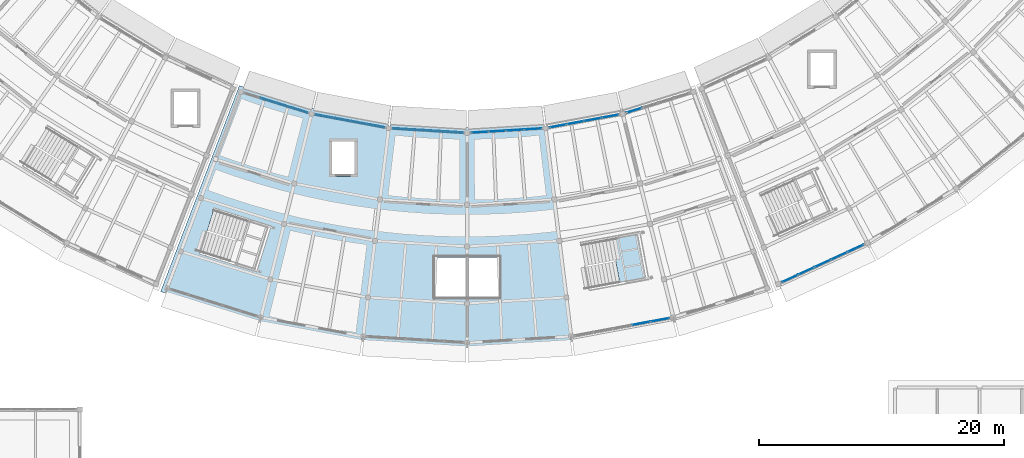
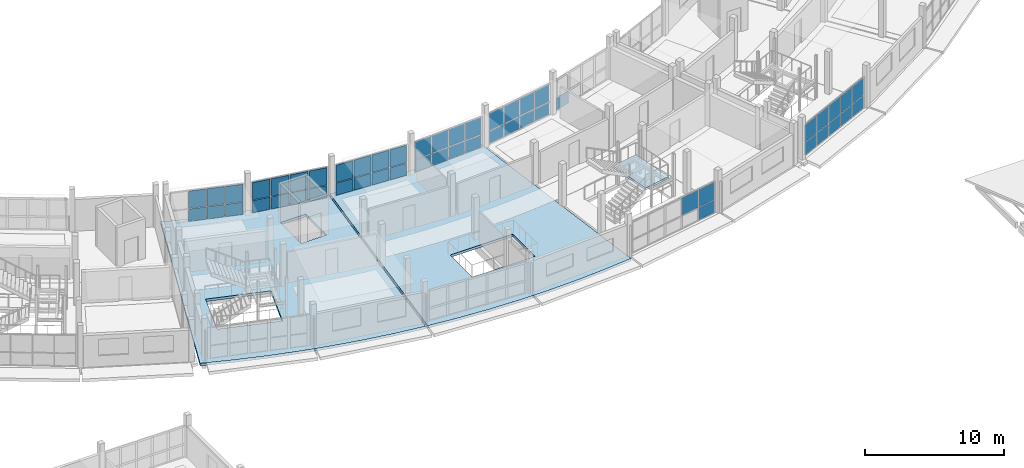
# One storey, part 43 of 66: 52 plates, 3 slabs, 9 elements without a shape of their own.
"""IFC4 building model written with IfcOpenShell, lengths in metres."""

from ifc_helpers import new_model, si_unit, direction, frame, origin, origin_2d, place, context, subcontext, project, spatial, polyline, rectangle, outline, extrude, material, layer, layer_set, type_object, element, aggregate, save


model = new_model("IFC4")

# Units and contexts
model_context = context("Model", 3, precision=1e-05, world=origin(), true_north=direction((0.0, 1.0)))
body_context = subcontext(model_context, "Body", "Model", "MODEL_VIEW")
ifc_project = project(units=[si_unit("LENGTHUNIT", "METRE"), si_unit("AREAUNIT", "SQUARE_METRE"), si_unit("VOLUMEUNIT", "CUBIC_METRE"), si_unit("PLANEANGLEUNIT", "RADIAN"), si_unit("MASSUNIT", "GRAM", prefix="KILO")], contexts=[model_context])

# Site, building, storey
site_placement = place(None, origin())
site = spatial("IfcSite", under=ifc_project, at=site_placement, CompositionType="ELEMENT")
building_placement = place(site_placement, origin())
building = spatial("IfcBuilding", under=site, at=building_placement, Name="Caldaven Crescent School", CompositionType="ELEMENT")
storey_placement = place(building_placement, frame((0.0, 0.0, 8.159912109375)))
storey = spatial("IfcBuildingStorey", under=building, at=storey_placement, Name="L02", CompositionType="ELEMENT", Elevation=8.159912109375)

# Curtain wall, plates
ifc_material_1 = material(Name="Anodised aluminium AA 6063-T6 and low-E double glazing", Category="aluminium")
ifc_layer_1 = layer(ifc_material_1, 0.18994140625)
ifc_layer_set_1 = layer_set([ifc_layer_1], Name="Anodised aluminium AA 6063-T6 and low-E double glazing")
curtain_wall_type_1 = type_object("IfcCurtainWallType", Name="CW-SYS2", PredefinedType="NOTDEFINED", material=ifc_layer_set_1)
curtain_wall_1_placement = place(storey_placement, origin())
curtain_wall_1 = element("IfcCurtainWall", 1, at=curtain_wall_1_placement, inside=storey, type_object=curtain_wall_type_1, Name="CW-L02-145", PredefinedType="NOTDEFINED")
ifc_material_2 = material(Name="Tempered low-E double glazing IGU", Category="glass")
ifc_layer_2 = layer(ifc_material_2, 0.028076171875)
ifc_layer_set_2 = layer_set([ifc_layer_2], Name="Tempered low-E double glazing IGU")
plate_type_1 = type_object("IfcPlateType", Name="PLT-CWP02", PredefinedType="CURTAIN_PANEL", material=ifc_layer_set_2)
plate_1_placement = place(storey_placement, frame((89.03857421875, 43.613525390625, 0.06494140625), z_axis=(0.0, 0.0, 1.0), x_axis=(0.998134750717, 0.061049319496, 0.0)))
plate_1 = element("IfcPlate", 2, at=plate_1_placement, type_object=plate_type_1, Name="CW2 panel 1.1", PredefinedType="CURTAIN_PANEL", context=body_context, shape_type="SweptSolid", body=[
    extrude(rectangle(XDim=1.361083984375, YDim=0.028076171875, at=origin_2d()), origin(), (0.0, 0.0, 1.0), 1.070556640625),
])
plate_2_placement = place(storey_placement, frame((89.03857421875, 43.613525390625, 1.20068359375), z_axis=(0.0, 0.0, 1.0), x_axis=(0.998134750717, 0.061049319496, 0.0)))
plate_2 = element("IfcPlate", 3, at=plate_2_placement, type_object=plate_type_1, Name="CW2 panel 1.2", PredefinedType="CURTAIN_PANEL", context=body_context, shape_type="SweptSolid", body=[
    extrude(rectangle(XDim=1.361083984375, YDim=0.028076171875, at=origin_2d()), origin(), (0.0, 0.0, 1.0), 1.514404296875),
])
plate_3_placement = place(storey_placement, frame((90.471923828125, 43.701171875, 0.06494140625), z_axis=(0.0, 0.0, 1.0), x_axis=(0.998134750717, 0.061049319496, 0.0)))
plate_3 = element("IfcPlate", 4, at=plate_3_placement, type_object=plate_type_1, Name="CW2 panel 2.1", PredefinedType="CURTAIN_PANEL", context=body_context, shape_type="SweptSolid", body=[
    extrude(rectangle(XDim=1.39111328125, YDim=0.028076171875, at=origin_2d()), origin(), (0.0, 0.0, 1.0), 1.070556640625),
])
plate_4_placement = place(storey_placement, frame((90.471923828125, 43.701171875, 1.20068359375), z_axis=(0.0, 0.0, 1.0), x_axis=(0.998134750717, 0.061049319496, 0.0)))
plate_4 = element("IfcPlate", 5, at=plate_4_placement, type_object=plate_type_1, Name="CW2 panel 2.2", PredefinedType="CURTAIN_PANEL", context=body_context, shape_type="SweptSolid", body=[
    extrude(rectangle(XDim=1.39111328125, YDim=0.028076171875, at=origin_2d()), origin(), (0.0, 0.0, 1.0), 1.514404296875),
])
plate_5_placement = place(storey_placement, frame((91.920166015625, 43.789794921875, 0.06494140625), z_axis=(0.0, 0.0, 1.0), x_axis=(0.998134750717, 0.061049319496, 0.0)))
plate_5 = element("IfcPlate", 6, at=plate_5_placement, type_object=plate_type_1, Name="CW2 panel 3.1", PredefinedType="CURTAIN_PANEL", context=body_context, shape_type="SweptSolid", body=[
    extrude(rectangle(XDim=1.39111328125, YDim=0.028076171875, at=origin_2d()), origin(), (0.0, 0.0, 1.0), 1.070556640625),
])
plate_6_placement = place(storey_placement, frame((91.920166015625, 43.789794921875, 1.20068359375), z_axis=(0.0, 0.0, 1.0), x_axis=(0.998134750717, 0.061049319496, 0.0)))
plate_6 = element("IfcPlate", 7, at=plate_6_placement, type_object=plate_type_1, Name="CW2 panel 3.2", PredefinedType="CURTAIN_PANEL", context=body_context, shape_type="SweptSolid", body=[
    extrude(rectangle(XDim=1.39111328125, YDim=0.028076171875, at=origin_2d()), origin(), (0.0, 0.0, 1.0), 1.514404296875),
])
plate_7_placement = place(storey_placement, frame((93.353515625, 43.87744140625, 0.06494140625), z_axis=(0.0, 0.0, 1.0), x_axis=(0.998134750717, 0.061049319496, 0.0)))
plate_7 = element("IfcPlate", 8, at=plate_7_placement, type_object=plate_type_1, Name="CW2 panel 4.1", PredefinedType="CURTAIN_PANEL", context=body_context, shape_type="SweptSolid", body=[
    extrude(rectangle(XDim=1.361083984375, YDim=0.028076171875, at=origin_2d()), origin(), (0.0, 0.0, 1.0), 1.070556640625),
])
plate_8_placement = place(storey_placement, frame((93.353515625, 43.87744140625, 1.20068359375), z_axis=(0.0, 0.0, 1.0), x_axis=(0.998134750717, 0.061049319496, 0.0)))
plate_8 = element("IfcPlate", 9, at=plate_8_placement, type_object=plate_type_1, Name="CW2 panel 4.2", PredefinedType="CURTAIN_PANEL", context=body_context, shape_type="SweptSolid", body=[
    extrude(rectangle(XDim=1.361083984375, YDim=0.028076171875, at=origin_2d()), origin(), (0.0, 0.0, 1.0), 1.514404296875),
])
aggregate(curtain_wall_1, [plate_1, plate_2, plate_3, plate_4, plate_5, plate_6, plate_7, plate_8])

ifc_layer_3 = layer(ifc_material_1, 0.2099609375)
ifc_layer_set_3 = layer_set([ifc_layer_3], Name="Anodised aluminium AA 6063-T6 and low-E double glazing")
curtain_wall_type_2 = type_object("IfcCurtainWallType", Name="CW-SYS3", PredefinedType="NOTDEFINED", material=ifc_layer_set_3)
curtain_wall_2_placement = place(storey_placement, origin())
curtain_wall_2 = element("IfcCurtainWall", 10, at=curtain_wall_2_placement, inside=storey, type_object=curtain_wall_type_2, Name="CW-L02-146", PredefinedType="NOTDEFINED")
ifc_layer_4 = layer(ifc_material_2, 0.030029296875)
ifc_layer_set_4 = layer_set([ifc_layer_4], Name="Tempered low-E double glazing IGU")
plate_type_2 = type_object("IfcPlateType", Name="PLT-CWP03", PredefinedType="CURTAIN_PANEL", material=ifc_layer_set_4)
plate_9_placement = place(storey_placement, frame((95.416259765625, 44.130859375, 0.070068359375), z_axis=(0.0, 0.0, 1.0), x_axis=(0.983254744401, 0.182236405836, 0.0)))
plate_9 = element("IfcPlate", 11, at=plate_9_placement, type_object=plate_type_2, Name="CW3 panel 1.1", PredefinedType="CURTAIN_PANEL", context=body_context, shape_type="SweptSolid", body=[
    extrude(rectangle(XDim=1.353515625, YDim=0.030029296875, at=origin_2d()), origin(), (0.0, 0.0, 1.0), 1.06298828125),
])
plate_10_placement = place(storey_placement, frame((95.416259765625, 44.130859375, 1.203125), z_axis=(0.0, 0.0, 1.0), x_axis=(0.983254744401, 0.182236405836, 0.0)))
plate_10 = element("IfcPlate", 12, at=plate_10_placement, type_object=plate_type_2, Name="CW3 panel 1.2", PredefinedType="CURTAIN_PANEL", context=body_context, shape_type="SweptSolid", body=[
    extrude(rectangle(XDim=1.353515625, YDim=0.030029296875, at=origin_2d()), origin(), (0.0, 0.0, 1.0), 1.507080078125),
])
plate_11_placement = place(storey_placement, frame((96.8271484375, 44.392333984375, 0.070068359375), z_axis=(0.0, 0.0, 1.0), x_axis=(0.983254744401, 0.182236405836, 0.0)))
plate_11 = element("IfcPlate", 13, at=plate_11_placement, type_object=plate_type_2, Name="CW3 panel 2.1", PredefinedType="CURTAIN_PANEL", context=body_context, shape_type="SweptSolid", body=[
    extrude(rectangle(XDim=1.385986328125, YDim=0.030029296875, at=origin_2d()), origin(), (0.0, 0.0, 1.0), 1.06298828125),
])
plate_12_placement = place(storey_placement, frame((96.8271484375, 44.392333984375, 1.203125), z_axis=(0.0, 0.0, 1.0), x_axis=(0.983254744401, 0.182236405836, 0.0)))
plate_12 = element("IfcPlate", 14, at=plate_12_placement, type_object=plate_type_2, Name="CW3 panel 2.2", PredefinedType="CURTAIN_PANEL", context=body_context, shape_type="SweptSolid", body=[
    extrude(rectangle(XDim=1.385986328125, YDim=0.030029296875, at=origin_2d()), origin(), (0.0, 0.0, 1.0), 1.507080078125),
])
plate_13_placement = place(storey_placement, frame((98.253662109375, 44.65673828125, 0.070068359375), z_axis=(0.0, 0.0, 1.0), x_axis=(0.983254744401, 0.182236405836, 0.0)))
plate_13 = element("IfcPlate", 15, at=plate_13_placement, type_object=plate_type_2, Name="CW3 panel 3.1", PredefinedType="CURTAIN_PANEL", context=body_context, shape_type="SweptSolid", body=[
    extrude(rectangle(XDim=1.385986328125, YDim=0.030029296875, at=origin_2d()), origin(), (0.0, 0.0, 1.0), 1.06298828125),
])
plate_14_placement = place(storey_placement, frame((98.253662109375, 44.65673828125, 1.203125), z_axis=(0.0, 0.0, 1.0), x_axis=(0.983254744401, 0.182236405836, 0.0)))
plate_14 = element("IfcPlate", 16, at=plate_14_placement, type_object=plate_type_2, Name="CW3 panel 3.2", PredefinedType="CURTAIN_PANEL", context=body_context, shape_type="SweptSolid", body=[
    extrude(rectangle(XDim=1.385986328125, YDim=0.030029296875, at=origin_2d()), origin(), (0.0, 0.0, 1.0), 1.507080078125),
])
plate_15_placement = place(storey_placement, frame((99.66455078125, 44.918212890625, 0.070068359375), z_axis=(0.0, 0.0, 1.0), x_axis=(0.983254744401, 0.182236405836, 0.0)))
plate_15 = element("IfcPlate", 17, at=plate_15_placement, type_object=plate_type_2, Name="CW3 panel 4.1", PredefinedType="CURTAIN_PANEL", context=body_context, shape_type="SweptSolid", body=[
    extrude(rectangle(XDim=1.353515625, YDim=0.030029296875, at=origin_2d()), origin(), (0.0, 0.0, 1.0), 1.06298828125),
])
plate_16_placement = place(storey_placement, frame((99.66455078125, 44.918212890625, 1.203125), z_axis=(0.0, 0.0, 1.0), x_axis=(0.983254744401, 0.182236405836, 0.0)))
plate_16 = element("IfcPlate", 18, at=plate_16_placement, type_object=plate_type_2, Name="CW3 panel 4.2", PredefinedType="CURTAIN_PANEL", context=body_context, shape_type="SweptSolid", body=[
    extrude(rectangle(XDim=1.353515625, YDim=0.030029296875, at=origin_2d()), origin(), (0.0, 0.0, 1.0), 1.507080078125),
])
aggregate(curtain_wall_2, [plate_9, plate_10, plate_11, plate_12, plate_13, plate_14, plate_15, plate_16])

ifc_layer_5 = layer(ifc_material_1, 0.169921875)
ifc_layer_set_5 = layer_set([ifc_layer_5], Name="Anodised aluminium AA 6063-T6 and low-E double glazing")
curtain_wall_type_3 = type_object("IfcCurtainWallType", Name="CW-SYS1", PredefinedType="NOTDEFINED", material=ifc_layer_set_5)
curtain_wall_3_placement = place(storey_placement, origin())
curtain_wall_3 = element("IfcCurtainWall", 19, at=curtain_wall_3_placement, inside=storey, type_object=curtain_wall_type_3, Name="CW-L02-147", PredefinedType="NOTDEFINED")
ifc_layer_6 = layer(ifc_material_2, 0.031982421875)
ifc_layer_set_6 = layer_set([ifc_layer_6], Name="Tempered low-E double glazing IGU")
plate_type_3 = type_object("IfcPlateType", Name="PLT-CWP04", PredefinedType="CURTAIN_PANEL", material=ifc_layer_set_6)
plate_17_placement = place(storey_placement, frame((102.202880859375, 28.02978515625, 1.197998046875), z_axis=(0.0, 0.0, 1.0), x_axis=(0.983255029874, 0.182234865564, 0.0)))
plate_17 = element("IfcPlate", 20, at=plate_17_placement, type_object=plate_type_3, Name="CW1 panel 4.2", PredefinedType="CURTAIN_PANEL", context=body_context, shape_type="SweptSolid", body=[
    extrude(rectangle(XDim=1.518310546875, YDim=0.031982421875, at=origin_2d()), origin(), (0.0, 0.0, 1.0), 1.52197265625),
])
plate_18_placement = place(storey_placement, frame((103.739990234375, 28.314697265625, 0.06005859375), z_axis=(0.0, 0.0, 1.0), x_axis=(0.983255029874, 0.182234865564, 0.0)))
plate_18 = element("IfcPlate", 21, at=plate_18_placement, type_object=plate_type_3, Name="CW1 panel 5.1", PredefinedType="CURTAIN_PANEL", context=body_context, shape_type="SweptSolid", body=[
    extrude(rectangle(XDim=1.48828125, YDim=0.031982421875, at=origin_2d()), origin(), (0.0, 0.0, 1.0), 1.077880859375),
])
plate_19_placement = place(storey_placement, frame((103.739990234375, 28.314697265625, 1.197998046875), z_axis=(0.0, 0.0, 1.0), x_axis=(0.983255029874, 0.182234865564, 0.0)))
plate_19 = element("IfcPlate", 22, at=plate_19_placement, type_object=plate_type_3, Name="CW1 panel 5.2", PredefinedType="CURTAIN_PANEL", context=body_context, shape_type="SweptSolid", body=[
    extrude(rectangle(XDim=1.48828125, YDim=0.031982421875, at=origin_2d()), origin(), (0.0, 0.0, 1.0), 1.52197265625),
])
aggregate(curtain_wall_3, [plate_17, plate_18, plate_19])

# Curtain wall, plate
ifc_layer_7 = layer(ifc_material_1, 0.22998046875)
ifc_layer_set_7 = layer_set([ifc_layer_7], Name="Anodised aluminium AA 6063-T6 and low-E double glazing")
curtain_wall_type_4 = type_object("IfcCurtainWallType", Name="CW-SYS4", PredefinedType="NOTDEFINED", material=ifc_layer_set_7)
curtain_wall_4_placement = place(storey_placement, origin())
curtain_wall_4 = element("IfcCurtainWall", 23, at=curtain_wall_4_placement, inside=storey, type_object=curtain_wall_type_4, Name="CW-L02-148", PredefinedType="NOTDEFINED")
ifc_layer_8 = layer(ifc_material_2, 0.033935546875)
ifc_layer_set_8 = layer_set([ifc_layer_8], Name="Tempered low-E double glazing IGU")
plate_type_4 = type_object("IfcPlateType", Name="PLT-CWP05", PredefinedType="CURTAIN_PANEL", material=ifc_layer_set_8)
plate_20_placement = place(storey_placement, frame((101.6416015625, 45.40478515625, 0.070068359375), z_axis=(0.0, 0.0, 1.0), x_axis=(0.954746818344, 0.297419758694, 0.0)))
plate_20 = element("IfcPlate", 24, at=plate_20_placement, type_object=plate_type_4, Name="CW4 panel 1.1", PredefinedType="CURTAIN_PANEL", context=body_context, shape_type="SweptSolid", body=[
    extrude(rectangle(XDim=1.255859375, YDim=0.033935546875, at=origin_2d()), origin(), (0.0, 0.0, 1.0), 1.06298828125),
])
aggregate(curtain_wall_4, [plate_20])

# Curtain wall, plates
curtain_wall_5_placement = place(storey_placement, origin())
curtain_wall_5 = element("IfcCurtainWall", 25, at=curtain_wall_5_placement, inside=storey, type_object=curtain_wall_type_2, Name="CW-L02-150", PredefinedType="NOTDEFINED")
ifc_layer_9 = layer(ifc_material_2, 0.0380859375)
ifc_layer_set_9 = layer_set([ifc_layer_9], Name="Tempered low-E double glazing IGU")
plate_type_5 = type_object("IfcPlateType", Name="PLT-CWP07", PredefinedType="CURTAIN_PANEL", material=ifc_layer_set_9)
plate_21_placement = place(storey_placement, frame((114.3330078125, 31.68505859375, 0.06494140625), z_axis=(0.0, 0.0, 1.0), x_axis=(0.908528252306, 0.417823425339, 0.0)))
plate_21 = element("IfcPlate", 26, at=plate_21_placement, type_object=plate_type_5, Name="CW3 panel 1.1", PredefinedType="CURTAIN_PANEL", context=body_context, shape_type="SweptSolid", body=[
    extrude(rectangle(XDim=1.377685546875, YDim=0.0380859375, at=origin_2d()), origin(), (0.0, 0.0, 1.0), 1.070556640625),
])
plate_22_placement = place(storey_placement, frame((114.3330078125, 31.68505859375, 1.20068359375), z_axis=(0.0, 0.0, 1.0), x_axis=(0.908528252306, 0.417823425339, 0.0)))
plate_22 = element("IfcPlate", 27, at=plate_22_placement, type_object=plate_type_5, Name="CW3 panel 1.2", PredefinedType="CURTAIN_PANEL", context=body_context, shape_type="SweptSolid", body=[
    extrude(rectangle(XDim=1.377685546875, YDim=0.0380859375, at=origin_2d()), origin(), (0.0, 0.0, 1.0), 1.514404296875),
])
plate_23_placement = place(storey_placement, frame((115.664306640625, 32.29736328125, 0.06494140625), z_axis=(0.0, 0.0, 1.0), x_axis=(0.908528252306, 0.417823425339, 0.0)))
plate_23 = element("IfcPlate", 28, at=plate_23_placement, type_object=plate_type_5, Name="CW3 panel 2.1", PredefinedType="CURTAIN_PANEL", context=body_context, shape_type="SweptSolid", body=[
    extrude(rectangle(XDim=1.412841796875, YDim=0.0380859375, at=origin_2d()), origin(), (0.0, 0.0, 1.0), 1.070556640625),
])
plate_24_placement = place(storey_placement, frame((115.664306640625, 32.29736328125, 1.20068359375), z_axis=(0.0, 0.0, 1.0), x_axis=(0.908528252306, 0.417823425339, 0.0)))
plate_24 = element("IfcPlate", 29, at=plate_24_placement, type_object=plate_type_5, Name="CW3 panel 2.2", PredefinedType="CURTAIN_PANEL", context=body_context, shape_type="SweptSolid", body=[
    extrude(rectangle(XDim=1.412841796875, YDim=0.0380859375, at=origin_2d()), origin(), (0.0, 0.0, 1.0), 1.514404296875),
])
plate_25_placement = place(storey_placement, frame((117.011474609375, 32.916748046875, 0.06494140625), z_axis=(0.0, 0.0, 1.0), x_axis=(0.908528252306, 0.417823425339, 0.0)))
plate_25 = element("IfcPlate", 30, at=plate_25_placement, type_object=plate_type_5, Name="CW3 panel 3.1", PredefinedType="CURTAIN_PANEL", context=body_context, shape_type="SweptSolid", body=[
    extrude(rectangle(XDim=1.412841796875, YDim=0.0380859375, at=origin_2d()), origin(), (0.0, 0.0, 1.0), 1.070556640625),
])
plate_26_placement = place(storey_placement, frame((117.011474609375, 32.916748046875, 1.20068359375), z_axis=(0.0, 0.0, 1.0), x_axis=(0.908528252306, 0.417823425339, 0.0)))
plate_26 = element("IfcPlate", 31, at=plate_26_placement, type_object=plate_type_5, Name="CW3 panel 3.2", PredefinedType="CURTAIN_PANEL", context=body_context, shape_type="SweptSolid", body=[
    extrude(rectangle(XDim=1.412841796875, YDim=0.0380859375, at=origin_2d()), origin(), (0.0, 0.0, 1.0), 1.514404296875),
])
plate_27_placement = place(storey_placement, frame((118.3583984375, 33.536376953125, 0.06494140625), z_axis=(0.0, 0.0, 1.0), x_axis=(0.908528252306, 0.417823425339, 0.0)))
plate_27 = element("IfcPlate", 32, at=plate_27_placement, type_object=plate_type_5, Name="CW3 panel 4.1", PredefinedType="CURTAIN_PANEL", context=body_context, shape_type="SweptSolid", body=[
    extrude(rectangle(XDim=1.412841796875, YDim=0.0380859375, at=origin_2d()), origin(), (0.0, 0.0, 1.0), 1.070556640625),
])
plate_28_placement = place(storey_placement, frame((118.3583984375, 33.536376953125, 1.20068359375), z_axis=(0.0, 0.0, 1.0), x_axis=(0.908528252306, 0.417823425339, 0.0)))
plate_28 = element("IfcPlate", 33, at=plate_28_placement, type_object=plate_type_5, Name="CW3 panel 4.2", PredefinedType="CURTAIN_PANEL", context=body_context, shape_type="SweptSolid", body=[
    extrude(rectangle(XDim=1.412841796875, YDim=0.0380859375, at=origin_2d()), origin(), (0.0, 0.0, 1.0), 1.514404296875),
])
plate_29_placement = place(storey_placement, frame((119.689697265625, 34.148681640625, 0.06494140625), z_axis=(0.0, 0.0, 1.0), x_axis=(0.908528252306, 0.417823425339, 0.0)))
plate_29 = element("IfcPlate", 34, at=plate_29_placement, type_object=plate_type_5, Name="CW3 panel 5.1", PredefinedType="CURTAIN_PANEL", context=body_context, shape_type="SweptSolid", body=[
    extrude(rectangle(XDim=1.377685546875, YDim=0.0380859375, at=origin_2d()), origin(), (0.0, 0.0, 1.0), 1.070556640625),
])
plate_30_placement = place(storey_placement, frame((119.689697265625, 34.148681640625, 1.20068359375), z_axis=(0.0, 0.0, 1.0), x_axis=(0.908528252306, 0.417823425339, 0.0)))
plate_30 = element("IfcPlate", 35, at=plate_30_placement, type_object=plate_type_5, Name="CW3 panel 5.2", PredefinedType="CURTAIN_PANEL", context=body_context, shape_type="SweptSolid", body=[
    extrude(rectangle(XDim=1.377685546875, YDim=0.0380859375, at=origin_2d()), origin(), (0.0, 0.0, 1.0), 1.514404296875),
])
aggregate(curtain_wall_5, [plate_21, plate_22, plate_23, plate_24, plate_25, plate_26, plate_27, plate_28, plate_29, plate_30])

curtain_wall_6_placement = place(storey_placement, origin())
curtain_wall_6 = element("IfcCurtainWall", 36, at=curtain_wall_6_placement, inside=storey, type_object=curtain_wall_type_2, Name="CW-L02-140", PredefinedType="NOTDEFINED")
ifc_material_3 = material(Name="Insulated bronze aluminium spandrel panel", Category="aluminium")
ifc_layer_10 = layer(ifc_material_3, 0.06591796875)
ifc_layer_set_10 = layer_set([ifc_layer_10], Name="Insulated bronze aluminium spandrel panel")
plate_type_6 = type_object("IfcPlateType", Name="PLT-CWP21", PredefinedType="CURTAIN_PANEL", material=ifc_layer_set_10)
plate_31_placement = place(storey_placement, frame((71.776611328125, 46.208984375, 0.06005859375), z_axis=(0.0, 0.0, 1.0), x_axis=(0.954746818344, -0.297419758694, 0.0)))
plate_31 = element("IfcPlate", 37, at=plate_31_placement, type_object=plate_type_6, Name="CW3 panel 2.1", PredefinedType="CURTAIN_PANEL", context=body_context, shape_type="SweptSolid", body=[
    extrude(rectangle(XDim=1.30078125, YDim=0.06591796875, at=origin_2d()), origin(), (0.0, 0.0, 1.0), 1.077880859375),
])
plate_32_placement = place(storey_placement, frame((71.776611328125, 46.208984375, 1.197998046875), z_axis=(0.0, 0.0, 1.0), x_axis=(0.954746818344, -0.297419758694, 0.0)))
plate_32 = element("IfcPlate", 38, at=plate_32_placement, type_object=plate_type_6, Name="CW3 panel 2.2", PredefinedType="CURTAIN_PANEL", context=body_context, shape_type="SweptSolid", body=[
    extrude(rectangle(XDim=1.30078125, YDim=0.06591796875, at=origin_2d()), origin(), (0.0, 0.0, 1.0), 1.52197265625),
])
plate_33_placement = place(storey_placement, frame((73.075927734375, 45.804443359375, 0.06005859375), z_axis=(0.0, 0.0, 1.0), x_axis=(0.954746818344, -0.297419758694, 0.0)))
plate_33 = element("IfcPlate", 39, at=plate_33_placement, type_object=plate_type_6, Name="CW3 panel 3.1", PredefinedType="CURTAIN_PANEL", context=body_context, shape_type="SweptSolid", body=[
    extrude(rectangle(XDim=1.30078125, YDim=0.06591796875, at=origin_2d()), origin(), (0.0, 0.0, 1.0), 1.077880859375),
])
plate_34_placement = place(storey_placement, frame((73.075927734375, 45.804443359375, 1.197998046875), z_axis=(0.0, 0.0, 1.0), x_axis=(0.954746818344, -0.297419758694, 0.0)))
plate_34 = element("IfcPlate", 40, at=plate_34_placement, type_object=plate_type_6, Name="CW3 panel 3.2", PredefinedType="CURTAIN_PANEL", context=body_context, shape_type="SweptSolid", body=[
    extrude(rectangle(XDim=1.30078125, YDim=0.06591796875, at=origin_2d()), origin(), (0.0, 0.0, 1.0), 1.52197265625),
])
plate_35_placement = place(storey_placement, frame((74.36083984375, 45.404052734375, 0.06005859375), z_axis=(0.0, 0.0, 1.0), x_axis=(0.954746818344, -0.297419758694, 0.0)))
plate_35 = element("IfcPlate", 41, at=plate_35_placement, type_object=plate_type_6, Name="CW3 panel 4.1", PredefinedType="CURTAIN_PANEL", context=body_context, shape_type="SweptSolid", body=[
    extrude(rectangle(XDim=1.270751953125, YDim=0.06591796875, at=origin_2d()), origin(), (0.0, 0.0, 1.0), 1.077880859375),
])
plate_36_placement = place(storey_placement, frame((74.36083984375, 45.404052734375, 1.197998046875), z_axis=(0.0, 0.0, 1.0), x_axis=(0.954746818344, -0.297419758694, 0.0)))
plate_36 = element("IfcPlate", 42, at=plate_36_placement, type_object=plate_type_6, Name="CW3 panel 4.2", PredefinedType="CURTAIN_PANEL", context=body_context, shape_type="SweptSolid", body=[
    extrude(rectangle(XDim=1.270751953125, YDim=0.06591796875, at=origin_2d()), origin(), (0.0, 0.0, 1.0), 1.52197265625),
])
aggregate(curtain_wall_6, [plate_31, plate_32, plate_33, plate_34, plate_35, plate_36])

curtain_wall_7_placement = place(storey_placement, origin())
curtain_wall_7 = element("IfcCurtainWall", 43, at=curtain_wall_7_placement, inside=storey, type_object=curtain_wall_type_4, Name="CW-L02-142", PredefinedType="NOTDEFINED")
ifc_layer_11 = layer(ifc_material_3, 0.070068359375)
ifc_layer_set_11 = layer_set([ifc_layer_11], Name="Insulated bronze aluminium spandrel panel")
plate_type_7 = type_object("IfcPlateType", Name="PLT-CWP23", PredefinedType="CURTAIN_PANEL", material=ifc_layer_set_11)
plate_37_placement = place(storey_placement, frame((76.33544921875, 44.918212890625, 0.06005859375), z_axis=(0.0, 0.0, 1.0), x_axis=(0.983254744401, -0.182236405836, 0.0)))
plate_37 = element("IfcPlate", 44, at=plate_37_placement, type_object=plate_type_7, Name="CW4 panel 1.1", PredefinedType="CURTAIN_PANEL", context=body_context, shape_type="SweptSolid", body=[
    extrude(rectangle(XDim=1.353515625, YDim=0.070068359375, at=origin_2d()), origin(), (0.0, 0.0, 1.0), 1.077880859375),
])
plate_38_placement = place(storey_placement, frame((76.33544921875, 44.918212890625, 1.197998046875), z_axis=(0.0, 0.0, 1.0), x_axis=(0.983254744401, -0.182236405836, 0.0)))
plate_38 = element("IfcPlate", 45, at=plate_38_placement, type_object=plate_type_7, Name="CW4 panel 1.2", PredefinedType="CURTAIN_PANEL", context=body_context, shape_type="SweptSolid", body=[
    extrude(rectangle(XDim=1.353515625, YDim=0.070068359375, at=origin_2d()), origin(), (0.0, 0.0, 1.0), 1.52197265625),
])
plate_39_placement = place(storey_placement, frame((77.746337890625, 44.65673828125, 0.06005859375), z_axis=(0.0, 0.0, 1.0), x_axis=(0.983254744401, -0.182236405836, 0.0)))
plate_39 = element("IfcPlate", 46, at=plate_39_placement, type_object=plate_type_7, Name="CW4 panel 2.1", PredefinedType="CURTAIN_PANEL", context=body_context, shape_type="SweptSolid", body=[
    extrude(rectangle(XDim=1.385986328125, YDim=0.070068359375, at=origin_2d()), origin(), (0.0, 0.0, 1.0), 1.077880859375),
])
plate_40_placement = place(storey_placement, frame((77.746337890625, 44.65673828125, 1.197998046875), z_axis=(0.0, 0.0, 1.0), x_axis=(0.983254744401, -0.182236405836, 0.0)))
plate_40 = element("IfcPlate", 47, at=plate_40_placement, type_object=plate_type_7, Name="CW4 panel 2.2", PredefinedType="CURTAIN_PANEL", context=body_context, shape_type="SweptSolid", body=[
    extrude(rectangle(XDim=1.385986328125, YDim=0.070068359375, at=origin_2d()), origin(), (0.0, 0.0, 1.0), 1.52197265625),
])
plate_41_placement = place(storey_placement, frame((79.1728515625, 44.392333984375, 0.06005859375), z_axis=(0.0, 0.0, 1.0), x_axis=(0.983254744401, -0.182236405836, 0.0)))
plate_41 = element("IfcPlate", 48, at=plate_41_placement, type_object=plate_type_7, Name="CW4 panel 3.1", PredefinedType="CURTAIN_PANEL", context=body_context, shape_type="SweptSolid", body=[
    extrude(rectangle(XDim=1.385986328125, YDim=0.070068359375, at=origin_2d()), origin(), (0.0, 0.0, 1.0), 1.077880859375),
])
plate_42_placement = place(storey_placement, frame((79.1728515625, 44.392333984375, 1.197998046875), z_axis=(0.0, 0.0, 1.0), x_axis=(0.983254744401, -0.182236405836, 0.0)))
plate_42 = element("IfcPlate", 49, at=plate_42_placement, type_object=plate_type_7, Name="CW4 panel 3.2", PredefinedType="CURTAIN_PANEL", context=body_context, shape_type="SweptSolid", body=[
    extrude(rectangle(XDim=1.385986328125, YDim=0.070068359375, at=origin_2d()), origin(), (0.0, 0.0, 1.0), 1.52197265625),
])
plate_43_placement = place(storey_placement, frame((80.583740234375, 44.130859375, 0.06005859375), z_axis=(0.0, 0.0, 1.0), x_axis=(0.983254744401, -0.182236405836, 0.0)))
plate_43 = element("IfcPlate", 50, at=plate_43_placement, type_object=plate_type_7, Name="CW4 panel 4.1", PredefinedType="CURTAIN_PANEL", context=body_context, shape_type="SweptSolid", body=[
    extrude(rectangle(XDim=1.353515625, YDim=0.070068359375, at=origin_2d()), origin(), (0.0, 0.0, 1.0), 1.077880859375),
])
plate_44_placement = place(storey_placement, frame((80.583740234375, 44.130859375, 1.197998046875), z_axis=(0.0, 0.0, 1.0), x_axis=(0.983254744401, -0.182236405836, 0.0)))
plate_44 = element("IfcPlate", 51, at=plate_44_placement, type_object=plate_type_7, Name="CW4 panel 4.2", PredefinedType="CURTAIN_PANEL", context=body_context, shape_type="SweptSolid", body=[
    extrude(rectangle(XDim=1.353515625, YDim=0.070068359375, at=origin_2d()), origin(), (0.0, 0.0, 1.0), 1.52197265625),
])
aggregate(curtain_wall_7, [plate_37, plate_38, plate_39, plate_40, plate_41, plate_42, plate_43, plate_44])

curtain_wall_8_placement = place(storey_placement, origin())
curtain_wall_8 = element("IfcCurtainWall", 52, at=curtain_wall_8_placement, inside=storey, type_object=curtain_wall_type_3, Name="CW-L02-143", PredefinedType="NOTDEFINED")
ifc_layer_12 = layer(ifc_material_3, 0.072021484375)
ifc_layer_set_12 = layer_set([ifc_layer_12], Name="Insulated bronze aluminium spandrel panel")
plate_type_8 = type_object("IfcPlateType", Name="PLT-CWP24", PredefinedType="CURTAIN_PANEL", material=ifc_layer_set_12)
plate_45_placement = place(storey_placement, frame((82.64892578125, 43.877197265625, 0.06494140625), z_axis=(0.0, 0.0, 1.0), x_axis=(0.998134750717, -0.061049319496, 0.0)))
plate_45 = element("IfcPlate", 53, at=plate_45_placement, type_object=plate_type_8, Name="CW1 panel 1.1", PredefinedType="CURTAIN_PANEL", context=body_context, shape_type="SweptSolid", body=[
    extrude(rectangle(XDim=1.345947265625, YDim=0.072021484375, at=origin_2d()), origin(), (0.0, 0.0, 1.0), 1.070556640625),
])
plate_46_placement = place(storey_placement, frame((82.64892578125, 43.877197265625, 1.20068359375), z_axis=(0.0, 0.0, 1.0), x_axis=(0.998134750717, -0.061049319496, 0.0)))
plate_46 = element("IfcPlate", 54, at=plate_46_placement, type_object=plate_type_8, Name="CW1 panel 1.2", PredefinedType="CURTAIN_PANEL", context=body_context, shape_type="SweptSolid", body=[
    extrude(rectangle(XDim=1.345947265625, YDim=0.072021484375, at=origin_2d()), origin(), (0.0, 0.0, 1.0), 1.514404296875),
])
plate_47_placement = place(storey_placement, frame((84.079833984375, 43.789794921875, 0.06494140625), z_axis=(0.0, 0.0, 1.0), x_axis=(0.998134750717, -0.061049319496, 0.0)))
plate_47 = element("IfcPlate", 55, at=plate_47_placement, type_object=plate_type_8, Name="CW1 panel 2.1", PredefinedType="CURTAIN_PANEL", context=body_context, shape_type="SweptSolid", body=[
    extrude(rectangle(XDim=1.381103515625, YDim=0.072021484375, at=origin_2d()), origin(), (0.0, 0.0, 1.0), 1.070556640625),
])
plate_48_placement = place(storey_placement, frame((84.079833984375, 43.789794921875, 1.20068359375), z_axis=(0.0, 0.0, 1.0), x_axis=(0.998134750717, -0.061049319496, 0.0)))
plate_48 = element("IfcPlate", 56, at=plate_48_placement, type_object=plate_type_8, Name="CW1 panel 2.2", PredefinedType="CURTAIN_PANEL", context=body_context, shape_type="SweptSolid", body=[
    extrude(rectangle(XDim=1.381103515625, YDim=0.072021484375, at=origin_2d()), origin(), (0.0, 0.0, 1.0), 1.514404296875),
])
plate_49_placement = place(storey_placement, frame((85.528076171875, 43.701171875, 0.06494140625), z_axis=(0.0, 0.0, 1.0), x_axis=(0.998134750717, -0.061049319496, 0.0)))
plate_49 = element("IfcPlate", 57, at=plate_49_placement, type_object=plate_type_8, Name="CW1 panel 3.1", PredefinedType="CURTAIN_PANEL", context=body_context, shape_type="SweptSolid", body=[
    extrude(rectangle(XDim=1.381103515625, YDim=0.072021484375, at=origin_2d()), origin(), (0.0, 0.0, 1.0), 1.070556640625),
])
plate_50_placement = place(storey_placement, frame((85.528076171875, 43.701171875, 1.20068359375), z_axis=(0.0, 0.0, 1.0), x_axis=(0.998134750717, -0.061049319496, 0.0)))
plate_50 = element("IfcPlate", 58, at=plate_50_placement, type_object=plate_type_8, Name="CW1 panel 3.2", PredefinedType="CURTAIN_PANEL", context=body_context, shape_type="SweptSolid", body=[
    extrude(rectangle(XDim=1.381103515625, YDim=0.072021484375, at=origin_2d()), origin(), (0.0, 0.0, 1.0), 1.514404296875),
])
plate_51_placement = place(storey_placement, frame((86.958984375, 43.61376953125, 0.06494140625), z_axis=(0.0, 0.0, 1.0), x_axis=(0.998134750717, -0.061049319496, 0.0)))
plate_51 = element("IfcPlate", 59, at=plate_51_placement, type_object=plate_type_8, Name="CW1 panel 4.1", PredefinedType="CURTAIN_PANEL", context=body_context, shape_type="SweptSolid", body=[
    extrude(rectangle(XDim=1.345947265625, YDim=0.072021484375, at=origin_2d()), origin(), (0.0, 0.0, 1.0), 1.070556640625),
])
plate_52_placement = place(storey_placement, frame((86.958984375, 43.61376953125, 1.20068359375), z_axis=(0.0, 0.0, 1.0), x_axis=(0.998134750717, -0.061049319496, 0.0)))
plate_52 = element("IfcPlate", 60, at=plate_52_placement, type_object=plate_type_8, Name="CW1 panel 4.2", PredefinedType="CURTAIN_PANEL", context=body_context, shape_type="SweptSolid", body=[
    extrude(rectangle(XDim=1.345947265625, YDim=0.072021484375, at=origin_2d()), origin(), (0.0, 0.0, 1.0), 1.514404296875),
])
aggregate(curtain_wall_8, [plate_45, plate_46, plate_47, plate_48, plate_49, plate_50, plate_51, plate_52])

# Slabs
ifc_material_4 = material(Name="Cross-laminated timber CLT C24", Category="wood")
ifc_layer_13 = layer(ifc_material_4, 0.219970703125)
ifc_layer_set_13 = layer_set([ifc_layer_13], Name="Cross-laminated timber CLT C24")
slab_type_1 = type_object("IfcSlabType", Name="SLB-FS2", PredefinedType="FLOOR", material=ifc_layer_set_13)
slab_1_placement = place(storey_placement, frame((0.0, 0.0, -0.219970703125)))
element("IfcSlab", 61, at=slab_1_placement, inside=storey, type_object=slab_type_1, Name="SLB-V5-L02-B05", PredefinedType="FLOOR", context=body_context, shape_type="SweptSolid", body=[
    extrude(outline(polyline([(62.99462890625, 30.61865234375), (65.268310546875, 29.793701171875), (67.5693359375, 29.0478515625), (69.89453125, 28.382080078125), (72.241455078125, 27.796875), (74.607177734375, 27.293212890625), (76.98876953125, 26.87158203125), (79.3837890625, 26.5322265625), (81.599365234375, 44.3955078125), (79.8203125, 44.6474609375), (78.051025390625, 44.960693359375), (76.293701171875, 45.334716796875), (74.55029296875, 45.76953125), (72.822998046875, 46.26416015625), (71.113525390625, 46.818115234375), (69.424560546875, 47.430908203125), (62.99462890625, 30.61865234375)]), holes=[polyline([(76.854248046875, 40.027587890625), (76.854248046875, 43.027587890625), (78.9541015625, 43.027587890625), (78.9541015625, 40.027587890625), (76.854248046875, 40.027587890625)]), polyline([(66.21142578125, 33.719482421875), (67.3720703125, 37.40087890625), (71.970947265625, 35.95068359375), (70.810302734375, 32.26953125), (66.21142578125, 33.719482421875)])]), origin(), (0.0, 0.0, 1.0), 0.219970703125),
])
slab_2_placement = place(storey_placement, frame((0.0, 0.0, -0.219970703125)))
element("IfcSlab", 62, at=slab_2_placement, inside=storey, type_object=slab_type_1, Name="SLB-V5-L02-B07", PredefinedType="FLOOR", context=body_context, shape_type="SweptSolid", body=[
    extrude(outline(polyline([(79.5546875, 26.51123046875), (81.96044921875, 26.260986328125), (84.373291015625, 26.093994140625), (86.79052734375, 26.010498046875), (89.20947265625, 26.010498046875), (91.626708984375, 26.093994140625), (94.03955078125, 26.260986328125), (96.4453125, 26.51123046875), (94.273681640625, 44.3798828125), (92.486572265625, 44.19384765625), (90.694091796875, 44.06982421875), (88.8984375, 44.0078125), (87.1015625, 44.0078125), (85.305908203125, 44.06982421875), (83.513427734375, 44.19384765625), (81.726318359375, 44.3798828125), (79.5546875, 26.51123046875)]), holes=[polyline([(85.39990234375, 30.199951171875), (85.39990234375, 33.39990234375), (90.60009765625, 33.39990234375), (90.60009765625, 30.199951171875), (85.39990234375, 30.199951171875)])]), origin(), (0.0, 0.0, 1.0), 0.219970703125),
])

# Stair, slab
ifc_material_5 = material(Name="Precast concrete C30/37", Category="concrete")
stair_type = type_object("IfcStairType", Name="STR-S6", PredefinedType="TWO_STRAIGHT_RUN_STAIR", material=ifc_material_5)
stair_placement = place(storey_placement, origin())
stair = element("IfcStair", 63, at=stair_placement, inside=storey, type_object=stair_type, Name="STAIR-ST3-L02", PredefinedType="TWO_STRAIGHT_RUN_STAIR")
ifc_material_6 = material(Name="Concrete C30/37", Category="concrete")
ifc_layer_14 = layer(ifc_material_6, 0.195068359375)
ifc_layer_set_14 = layer_set([ifc_layer_14], Name="Concrete C30/37")
slab_type_2 = type_object("IfcSlabType", Name="SLB-LND2", PredefinedType="LANDING", material=ifc_layer_set_14)
slab_3_placement = place(storey_placement, frame((0.0, 0.0, 1.675048828125)))
slab_3 = element("IfcSlab", 64, at=slab_3_placement, type_object=slab_type_2, Name="ST3-L02 landing 1", PredefinedType="LANDING", context=body_context, shape_type="SweptSolid", body=[
    extrude(outline(polyline([(100.44287109375, 31.344970703125), (102.60400390625, 31.745361328125), (101.940673828125, 35.324462890625), (99.779541015625, 34.923828125), (100.44287109375, 31.344970703125)])), origin(), (0.0, 0.0, 1.0), 0.195068359375),
])
aggregate(stair, [slab_3])

save(model, "model.ifc")
